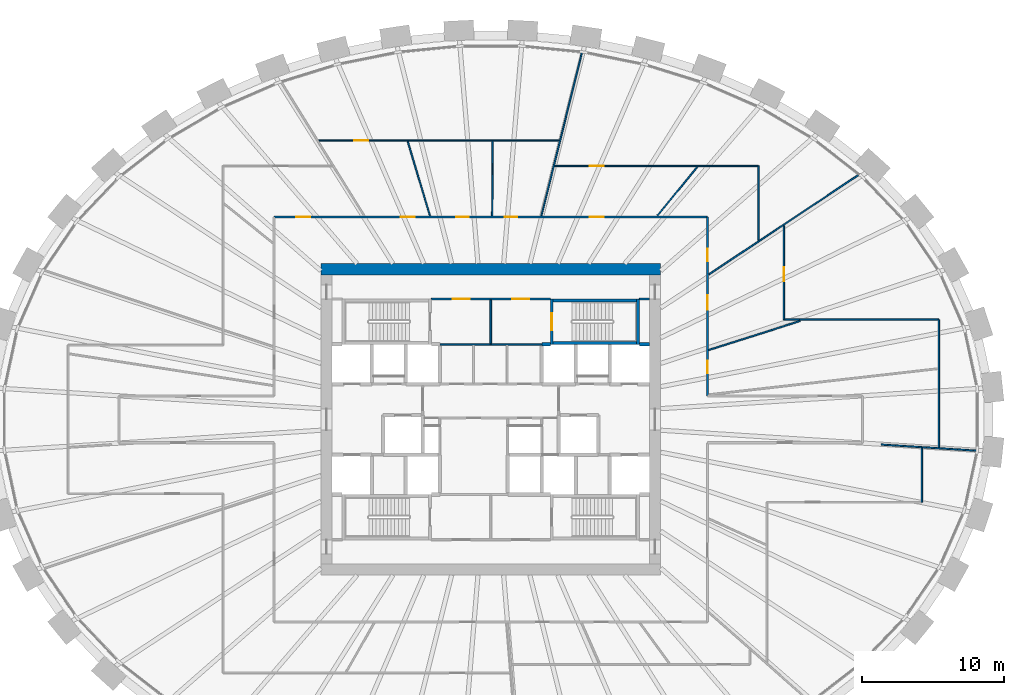
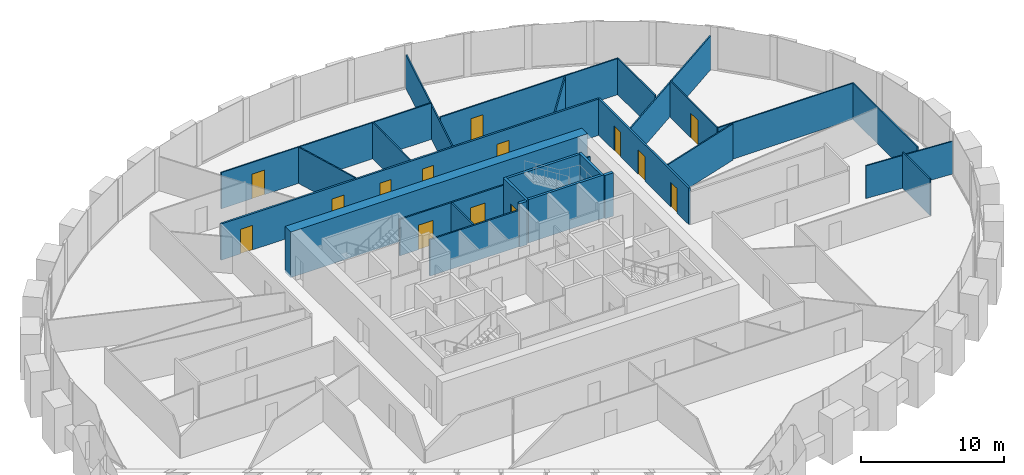
# One storey, part 9 of 11: 27 walls, 14 doors, 14 openings.
"""IFC4 building model written with IfcOpenShell, lengths in metres."""

import ifcopenshell
import ifcopenshell.guid

model = None  # the IFC model being written
_history = None  # IfcOwnerHistory: only IFC2X3 demands one
_inside = {}  # id of a spatial element -> (the spatial element, [elements in it])
_under = {}  # id of a project, library or spatial element -> (it, [spatial elements below it])
_declared = {}  # id of a project -> (the project, [libraries it declares])
_typed = {}  # id of a type object -> (the type object, [elements of that type])
_made_of = {}  # id of a material, layer set ... -> (it, [elements and type objects made of it])


def new_model(schema):
    """Start an empty IFC model of exactly this schema.

    Asked for "IFC4X3", IfcOpenShell would pick the latest addendum, in which some entities
    have other attributes; the version numbers below select the first issue.
    IFC2X3 requires an IfcOwnerHistory on every rooted entity: one is made here for all.
    """
    global model, _history
    if schema == "IFC4X3":
        model = ifcopenshell.file(schema_version=(4, 3, 0, 0))
    else:
        model = ifcopenshell.file(schema=schema)
    _inside.clear()
    _under.clear()
    _declared.clear()
    _typed.clear()
    _made_of.clear()
    _history = None
    if model.schema == "IFC2X3":
        org = make("IfcOrganization", Name="unknown")
        user = make(
            "IfcPersonAndOrganization",
            ThePerson=make("IfcPerson", FamilyName="unknown"),
            TheOrganization=org,
        )
        app = make(
            "IfcApplication",
            ApplicationDeveloper=org,
            Version="unknown",
            ApplicationFullName="unknown",
            ApplicationIdentifier="unknown",
        )
        _history = make(
            "IfcOwnerHistory",
            OwningUser=user,
            OwningApplication=app,
            ChangeAction="ADDED",
            CreationDate=0,
        )
    return model


def make(cls, **values):
    """One entity of the class cls with the attributes given. An attribute that is None is left unset."""
    return model.create_entity(
        cls, **{name: value for name, value in values.items() if value is not None}
    )


def rooted(cls, **values):
    """An entity with a GlobalId (a new one), such as an element, a storey or a relation."""
    return make(cls, GlobalId=ifcopenshell.guid.new(), OwnerHistory=_history, **values)


def si_unit(unit_type, name, prefix=None):
    """IfcSIUnit, for example si_unit("LENGTHUNIT", "METRE", prefix="MILLI")."""
    return make("IfcSIUnit", UnitType=unit_type, Prefix=prefix, Name=name)


def assignment(units):
    """IfcUnitAssignment: the units of a project."""
    return None if units is None else make("IfcUnitAssignment", Units=units)


def point(xyz):
    """IfcCartesianPoint."""
    return None if xyz is None else make("IfcCartesianPoint", Coordinates=xyz)


def direction(xyz):
    """IfcDirection."""
    return None if xyz is None else make("IfcDirection", DirectionRatios=xyz)


def frame(location, z_axis=None, x_axis=None):
    """IfcAxis2Placement3D, a coordinate frame: its origin and axes. An axis left out is left unset."""
    return make(
        "IfcAxis2Placement3D",
        Location=point(location),
        Axis=direction(z_axis),
        RefDirection=direction(x_axis),
    )


def frame_2d(location, x_axis=None):
    """IfcAxis2Placement2D, a coordinate frame in the plane: its origin and x axis."""
    return make(
        "IfcAxis2Placement2D", Location=point(location), RefDirection=direction(x_axis)
    )


def origin():
    """The frame at (0, 0, 0) with its axes left unset."""
    return frame((0.0, 0.0, 0.0))


def place(relative_to, where):
    """IfcLocalPlacement: puts the frame where relative to a parent placement (None: the world)."""
    return make(
        "IfcLocalPlacement", PlacementRelTo=relative_to, RelativePlacement=where
    )


def context(
    kind, dimensions, precision=None, world=None, true_north=None, identifier=None
):
    """IfcGeometricRepresentationContext, for example the 3D "Model" context."""
    return make(
        "IfcGeometricRepresentationContext",
        ContextIdentifier=identifier,
        ContextType=kind,
        CoordinateSpaceDimension=dimensions,
        Precision=precision,
        WorldCoordinateSystem=world,
        TrueNorth=true_north,
    )


def subcontext(parent, identifier, kind, view, scale=None):
    """IfcGeometricRepresentationSubContext, for example "Body" below "Model"."""
    return make(
        "IfcGeometricRepresentationSubContext",
        ContextIdentifier=identifier,
        ContextType=kind,
        ParentContext=parent,
        TargetScale=scale,
        TargetView=view,
    )


def project(units=None, contexts=None):
    """IfcProject with its units and contexts."""
    return rooted(
        "IfcProject",
        Name="project",
        RepresentationContexts=contexts,
        UnitsInContext=assignment(units),
    )


def spatial(cls, under=None, at=None, **own):
    """A site, building, storey or space (cls), placed at a placement, below another one or the project."""
    s = rooted(cls, ObjectPlacement=at, **own)
    if under is not None:
        _under.setdefault(under.id(), (under, []))[1].append(s)
    return s


def profile(cls, at=None, kind="AREA", **sizes):
    """A parametric profile (cls). Its sizes go by their IFC names, for example OverallWidth=200.0."""
    return make(cls, ProfileType=kind, Position=at, **sizes)


def rectangle(**sizes):
    """IfcRectangleProfileDef."""
    return profile("IfcRectangleProfileDef", **sizes)


def extrude(swept, where, along, depth):
    """IfcExtrudedAreaSolid: the profile swept, set in the frame where, extruded along a direction by depth."""
    return make(
        "IfcExtrudedAreaSolid",
        SweptArea=swept,
        Position=where,
        ExtrudedDirection=direction(along),
        Depth=depth,
    )


def shape(context_of_items, identifier, shape_type, items):
    """IfcShapeRepresentation: the items that make up one representation, for example the "Body"."""
    return make(
        "IfcShapeRepresentation",
        ContextOfItems=context_of_items,
        RepresentationIdentifier=identifier,
        RepresentationType=shape_type,
        Items=items,
    )


def source(mapping_origin, context_of_items, identifier, shape_type, items):
    """IfcRepresentationMap: a shape defined once, which mapped items show again and again."""
    return make(
        "IfcRepresentationMap",
        MappingOrigin=mapping_origin,
        MappedRepresentation=shape(context_of_items, identifier, shape_type, items),
    )


def transform(
    local_origin,
    x_axis=None,
    y_axis=None,
    z_axis=None,
    scale=None,
    scale2=None,
    scale3=None,
    uniform=True,
):
    """IfcCartesianTransformationOperator3D, or its non-uniform kind. x_axis, y_axis, z_axis: its Axis1, 2, 3."""
    if uniform:
        return make(
            "IfcCartesianTransformationOperator3D",
            Axis1=direction(x_axis),
            Axis2=direction(y_axis),
            LocalOrigin=point(local_origin),
            Scale=scale,
            Axis3=direction(z_axis),
        )
    return make(
        "IfcCartesianTransformationOperator3DnonUniform",
        Axis1=direction(x_axis),
        Axis2=direction(y_axis),
        LocalOrigin=point(local_origin),
        Scale=scale,
        Axis3=direction(z_axis),
        Scale2=scale2,
        Scale3=scale3,
    )


def mapped(mapping_source, mapping_target):
    """IfcMappedItem: shows the shape of a source again, moved by a transform."""
    return make(
        "IfcMappedItem", MappingSource=mapping_source, MappingTarget=mapping_target
    )


def material(Name=None, Category=None):
    """IfcMaterial."""
    return make("IfcMaterial", Name=Name, Category=Category)


def layer(
    of_material, thickness, ventilated=None, Name=None, Category=None, Priority=None
):
    """IfcMaterialLayer: one layer of a wall or slab, of a material (None: an air gap)."""
    return make(
        "IfcMaterialLayer",
        Material=of_material,
        LayerThickness=thickness,
        IsVentilated=ventilated,
        Name=Name,
        Category=Category,
        Priority=Priority,
    )


def layer_set(layers, Name=None):
    """IfcMaterialLayerSet."""
    return make("IfcMaterialLayerSet", MaterialLayers=layers, LayerSetName=Name)


def made_of(thing, what):
    """Note that an element or type object is made of a material, layer set ...; save() writes the relation."""
    if what is not None:
        _made_of.setdefault(what.id(), (what, []))[1].append(thing)
    return thing


def type_object(cls, material=None, **own):
    """A type object (cls), such as IfcWallType, which elements share."""
    return made_of(rooted(cls, **own), material)


def element(
    cls,
    number,
    at=None,
    inside=None,
    cuts=None,
    type_object=None,
    material=None,
    context=None,
    identifier="Body",
    shape_type=None,
    held_by="IfcProductDefinitionShape",
    body=None,
    shapes=None,
    **own,
):
    """One element of the class cls, such as IfcWall. Its Tag is "e" and its number.

    at: its placement. inside: the storey or other place that contains it. cuts: it is an
    opening in that element (IfcRelVoidsElement). A single representation is given by context,
    identifier, shape_type and body (its items); several are given by shapes. held_by: the class
    of the entity that holds the representations. save() writes the other relations.
    """
    e = rooted(cls, Tag="e%d" % number, ObjectPlacement=at, **own)
    if body is not None:
        shapes = [shape(context, identifier, shape_type, body)]
    if shapes is not None:
        e.Representation = make(held_by, Representations=shapes)
    if inside is not None:
        _inside.setdefault(inside.id(), (inside, []))[1].append(e)
    if cuts is not None:
        rooted(
            "IfcRelVoidsElement", RelatingBuildingElement=cuts, RelatedOpeningElement=e
        )
    if type_object is not None:
        _typed.setdefault(type_object.id(), (type_object, []))[1].append(e)
    return made_of(e, material)


def fill(opening, filler):
    """IfcRelFillsElement: the door or window that sits in an opening."""
    return rooted(
        "IfcRelFillsElement",
        RelatingOpeningElement=opening,
        RelatedBuildingElement=filler,
    )


def aggregate(whole, parts):
    """IfcRelAggregates: a whole, such as a stair, and the parts it consists of."""
    return rooted("IfcRelAggregates", RelatingObject=whole, RelatedObjects=parts)


def save(model, path):
    """Write the relations noted so far, then the file.

    IfcRelAggregates (storeys below a building ...), IfcRelContainedInSpatialStructure (elements
    in a storey), IfcRelDefinesByType, IfcRelAssociatesMaterial and IfcRelDeclares: one each for
    every whole, place, type object, material and project.
    """
    for whole, parts in _under.values():
        aggregate(whole, parts)
    for where, things in _inside.values():
        rooted(
            "IfcRelContainedInSpatialStructure",
            RelatedElements=things,
            RelatingStructure=where,
        )
    for kind, things in _typed.values():
        rooted("IfcRelDefinesByType", RelatedObjects=things, RelatingType=kind)
    for what, things in _made_of.values():
        rooted("IfcRelAssociatesMaterial", RelatedObjects=things, RelatingMaterial=what)
    for by, libraries in _declared.values():
        rooted("IfcRelDeclares", RelatingContext=by, RelatedDefinitions=libraries)
    model.write(path)


model = new_model("IFC4")

# Units and contexts
model_context = context("Model", 3, precision=1e-05, world=origin(), true_north=direction((0.0, 1.0)))
body_context = subcontext(model_context, "Body", "Model", "MODEL_VIEW")
ifc_project = project(units=[si_unit("LENGTHUNIT", "METRE"), si_unit("AREAUNIT", "SQUARE_METRE"), si_unit("VOLUMEUNIT", "CUBIC_METRE"), si_unit("PLANEANGLEUNIT", "RADIAN"), si_unit("MASSUNIT", "GRAM", prefix="KILO")], contexts=[model_context])

# Site, building, storey
site_placement = place(None, origin())
site = spatial("IfcSite", under=ifc_project, at=site_placement, CompositionType="ELEMENT")
building_placement = place(site_placement, origin())
building = spatial("IfcBuilding", under=site, at=building_placement, Name="Embergate Tower", CompositionType="ELEMENT")
storey_placement = place(building_placement, frame((0.0, 0.0, 215.10009765625)))
storey = spatial("IfcBuildingStorey", under=building, at=storey_placement, Name="L49", CompositionType="ELEMENT", Elevation=215.10009765625)

# Walls
ifc_material_1 = material(Name="Concrete C70", Category="concrete")
ifc_layer_1 = layer(ifc_material_1, 0.800048828125)
ifc_layer_set_1 = layer_set([ifc_layer_1], Name="Concrete C70")
wall_type_1 = type_object("IfcWallType", Name="Core outer wall C70 800", PredefinedType="SHEAR", material=ifc_layer_set_1)
shared_shape_1 = source(origin(), body_context, "Body", "SweptSolid", [
    extrude(rectangle(XDim=24.0, YDim=0.800048828125, at=frame_2d((12.0, 0.0))), origin(), (0.0, 0.0, 1.0), 3.900146484375),
])
wall_1_placement = place(storey_placement, frame((-12.0, 10.60009765625, -0.2001953125), z_axis=(0.0, 0.0, 1.0), x_axis=(1.0, 0.0, 0.0)))
element("IfcWall", 1, at=wall_1_placement, inside=storey, type_object=wall_type_1, Name="CW-L49-N", PredefinedType="SHEAR", context=body_context, shape_type="MappedRepresentation", body=[
    mapped(shared_shape_1, transform((0.0, 0.0, 0.0))),
])
ifc_material_2 = material(Name="Concrete C50", Category="concrete")
ifc_layer_2 = layer(ifc_material_2, 0.199951171875)
ifc_layer_set_2 = layer_set([ifc_layer_2], Name="Concrete C50")
wall_type_2 = type_object("IfcWallType", Name="Stair enclosure wall reinforced concrete 250", PredefinedType="SHEAR", material=ifc_layer_set_2)
shared_shape_2 = source(origin(), body_context, "Body", "SweptSolid", [
    extrude(rectangle(XDim=6.300048828125, YDim=0.199951171875, at=frame_2d((3.14990234375, 0.0))), origin(), (0.0, 0.0, 1.0), 3.699951171875),
])
for number, where, z_axis, x_axis, name in (
    (2, (10.5, 5.39990234375, 0.0), (0.0, 0.0, 1.0), (-1.0, 0.0, 0.0), "SE-1 wall"),
    (3, (10.5, 8.39990234375, 0.0), (0.0, 0.0, 1.0), (-1.0, 0.0, 0.0), "SE-1 wall"),
):
    element("IfcWall", number, at=place(storey_placement, frame(where, z_axis=z_axis, x_axis=x_axis)), inside=storey, type_object=wall_type_2, Name=name, PredefinedType="SHEAR", context=body_context, shape_type="MappedRepresentation", body=[
        mapped(shared_shape_2, transform((0.0, 0.0, 0.0))),
    ])

# Wall, opening, door
shared_shape_3 = source(origin(), body_context, "Body", "SweptSolid", [
    extrude(rectangle(XDim=3.199951171875, YDim=0.199951171875, at=frame_2d((1.60009765625, 0.0))), origin(), (0.0, 0.0, 1.0), 3.699951171875),
])
wall_2_placement = place(storey_placement, frame((4.300048828125, 8.5, 0.0), z_axis=(0.0, 0.0, 1.0), x_axis=(0.0, -1.0, 0.0)))
wall_2 = element("IfcWall", 4, at=wall_2_placement, inside=storey, type_object=wall_type_2, Name="SE-1 wall", PredefinedType="SHEAR", context=body_context, shape_type="MappedRepresentation", body=[
    mapped(shared_shape_3, transform((0.0, 0.0, 0.0))),
])
shared_shape_4 = source(origin(), body_context, "Body", "SweptSolid", [
    extrude(rectangle(XDim=1.199951171875, YDim=2.10009765625, at=frame_2d((0.60009765625, 1.050048828125))), frame((0.0, 0.10986328125, 0.0), z_axis=(0.0, -1.0, 0.0), x_axis=(1.0, 0.0, 0.0)), (0.0, 0.0, 1.0), 0.219970703125),
])
opening_1_placement = place(wall_2_placement, frame((1.0, 0.0, 0.0)))
opening_1 = element("IfcOpeningElement", 5, at=opening_1_placement, cuts=wall_2, Name="Opening IF-2", PredefinedType="OPENING", context=body_context, shape_type="MappedRepresentation", body=[
    mapped(shared_shape_4, transform((0.0, 0.0, 0.0))),
])
ifc_material_3 = material(Name="Stair enclosure door 1200")
door_type_1 = type_object("IfcDoorType", Name="Stair enclosure door 1200", OperationType="SINGLE_SWING_LEFT", PredefinedType="DOOR", material=ifc_material_3)
shared_shape_5 = source(origin(), body_context, "Body", "SweptSolid", [
    extrude(rectangle(XDim=1.199951171875, YDim=2.10009765625, at=frame_2d((0.60009765625, 1.050048828125))), frame((0.0, 0.02490234375, 0.0), z_axis=(0.0, -1.0, 0.0), x_axis=(1.0, 0.0, 0.0)), (0.0, 0.0, 1.0), 0.050048828125),
])
door_1_placement = place(opening_1_placement, origin())
door_1 = element("IfcDoor", 6, at=door_1_placement, inside=storey, type_object=door_type_1, Name="IF-2 door", OperationType="SINGLE_SWING_LEFT", OverallHeight=2.10009765625, OverallWidth=1.199951171875, PredefinedType="DOOR", context=body_context, shape_type="MappedRepresentation", body=[
    mapped(shared_shape_5, transform((0.0, 0.0, 0.0))),
])
fill(opening_1, door_1)

# Wall, openings, doors
ifc_material_4 = material(Name="Core partition blockwork 120")
ifc_layer_3 = layer(ifc_material_4, 0.1201171875)
ifc_layer_set_3 = layer_set([ifc_layer_3], Name="Core partition blockwork 120")
wall_type_3 = type_object("IfcWallType", Name="Core partition blockwork 120", PredefinedType="PARTITIONING", material=ifc_layer_set_3)
shared_shape_6 = source(origin(), body_context, "Body", "SweptSolid", [
    extrude(rectangle(XDim=8.39990234375, YDim=0.1201171875, at=frame_2d((4.199951171875, 0.0))), origin(), (0.0, 0.0, 1.0), 3.099853515625),
])
wall_3_placement = place(storey_placement, frame((4.199951171875, 8.5, 0.0), z_axis=(0.0, 0.0, 1.0), x_axis=(-1.0, 0.0, 0.0)))
wall_3 = element("IfcWall", 7, at=wall_3_placement, inside=storey, type_object=wall_type_3, Name="IP-3 wall", PredefinedType="PARTITIONING", context=body_context, shape_type="MappedRepresentation", body=[
    mapped(shared_shape_6, transform((0.0, 0.0, 0.0))),
])
shared_shape_7 = source(origin(), body_context, "Body", "SweptSolid", [
    extrude(rectangle(XDim=1.199951171875, YDim=2.10009765625, at=frame_2d((0.60009765625, 1.050048828125))), frame((0.0, 0.070068359375, 0.0), z_axis=(0.0, -1.0, 0.0), x_axis=(1.0, 0.0, 0.0)), (0.0, 0.0, 1.0), 0.14013671875),
])
opening_2_placement = place(wall_3_placement, frame((5.699951171875, 0.0, 0.0)))
opening_2 = element("IfcOpeningElement", 8, at=opening_2_placement, cuts=wall_3, Name="Opening IF-3f", PredefinedType="OPENING", context=body_context, shape_type="MappedRepresentation", body=[
    mapped(shared_shape_7, transform((0.0, 0.0, 0.0))),
])
opening_3_placement = place(wall_3_placement, frame((1.5, 0.0, 0.0)))
opening_3 = element("IfcOpeningElement", 9, at=opening_3_placement, cuts=wall_3, Name="Opening IF-3f", PredefinedType="OPENING", context=body_context, shape_type="MappedRepresentation", body=[
    mapped(shared_shape_7, transform((0.0, 0.0, 0.0))),
])
ifc_material_5 = material(Name="Lobby fire door pair 1200")
door_type_2 = type_object("IfcDoorType", Name="Lobby fire door pair 1200", OperationType="DOUBLE_DOOR_SINGLE_SWING", PredefinedType="DOOR", material=ifc_material_5)
door_2_placement = place(opening_2_placement, origin())
door_2 = element("IfcDoor", 10, at=door_2_placement, inside=storey, type_object=door_type_2, Name="IF-3 door", OperationType="DOUBLE_DOOR_SINGLE_SWING", OverallHeight=2.10009765625, OverallWidth=1.199951171875, PredefinedType="DOOR", context=body_context, shape_type="MappedRepresentation", body=[
    mapped(shared_shape_5, transform((0.0, 0.0, 0.0))),
])
fill(opening_2, door_2)
door_3_placement = place(opening_3_placement, origin())
door_3 = element("IfcDoor", 11, at=door_3_placement, inside=storey, type_object=door_type_2, Name="IF-3 door", OperationType="DOUBLE_DOOR_SINGLE_SWING", OverallHeight=2.10009765625, OverallWidth=1.199951171875, PredefinedType="DOOR", context=body_context, shape_type="MappedRepresentation", body=[
    mapped(shared_shape_5, transform((0.0, 0.0, 0.0))),
])
fill(opening_3, door_3)

# Walls
ifc_layer_4 = layer(ifc_material_2, 0.25)
ifc_layer_set_4 = layer_set([ifc_layer_4], Name="Concrete C50")
wall_type_4 = type_object("IfcWallType", Name="Hoistway wall reinforced concrete 250", PredefinedType="SHEAR", material=ifc_layer_set_4)
shared_shape_8 = source(origin(), body_context, "Body", "SweptSolid", [
    extrude(rectangle(XDim=0.599853515625, YDim=0.25, at=frame_2d((0.2998046875, 0.0))), origin(), (0.0, 0.0, 1.0), 3.699951171875),
])
wall_4_placement = place(storey_placement, frame((4.199951171875, 5.300048828125, 0.0), z_axis=(0.0, 0.0, 1.0), x_axis=(-1.0, 0.0, 0.0)))
element("IfcWall", 12, at=wall_4_placement, inside=storey, type_object=wall_type_4, Name="HW-1 wall", PredefinedType="SHEAR", context=body_context, shape_type="MappedRepresentation", body=[
    mapped(shared_shape_8, transform((0.0, 0.0, 0.0))),
])
shared_shape_9 = source(origin(), body_context, "Body", "SweptSolid", [
    extrude(rectangle(XDim=3.196044921875, YDim=0.199951171875, at=frame_2d((1.59814453125, 0.0))), origin(), (0.0, 0.0, 1.0), 3.699951171875),
])
wall_5_placement = place(storey_placement, frame((10.39990234375, 5.302001953125, 0.0), z_axis=(0.0, 0.0, 1.0), x_axis=(0.0, 1.0, 0.0)))
element("IfcWall", 13, at=wall_5_placement, inside=storey, type_object=wall_type_2, Name="SE-1 wall", PredefinedType="SHEAR", context=body_context, shape_type="MappedRepresentation", body=[
    mapped(shared_shape_9, transform((0.0, 0.0, 0.0))),
])
shared_shape_10 = source(origin(), body_context, "Body", "SweptSolid", [
    extrude(rectangle(XDim=0.697998046875, YDim=0.25, at=frame_2d((0.34912109375, 0.0))), origin(), (0.0, 0.0, 1.0), 3.699951171875),
])
wall_6_placement = place(storey_placement, frame((11.199951171875, 5.300048828125, 0.0), z_axis=(0.0, 0.0, 1.0), x_axis=(-1.0, 0.0, 0.0)))
element("IfcWall", 14, at=wall_6_placement, inside=storey, type_object=wall_type_4, Name="HW-1 wall", PredefinedType="SHEAR", context=body_context, shape_type="MappedRepresentation", body=[
    mapped(shared_shape_10, transform((0.0, 0.0, 0.0))),
])
shared_shape_11 = source(origin(), body_context, "Body", "SweptSolid", [
    extrude(rectangle(XDim=7.2001953125, YDim=0.1201171875, at=frame_2d((3.60009765625, 0.0))), origin(), (0.0, 0.0, 1.0), 3.099853515625),
])
wall_7_placement = place(storey_placement, frame((-3.60009765625, 5.300048828125, 0.0), z_axis=(0.0, 0.0, 1.0), x_axis=(1.0, 0.0, 0.0)))
element("IfcWall", 15, at=wall_7_placement, inside=storey, type_object=wall_type_3, Name="IP-3 wall", PredefinedType="PARTITIONING", context=body_context, shape_type="MappedRepresentation", body=[
    mapped(shared_shape_11, transform((0.0, 0.0, 0.0))),
])
shared_shape_12 = source(origin(), body_context, "Body", "SweptSolid", [
    extrude(rectangle(XDim=3.079833984375, YDim=0.1201171875, at=frame_2d((1.5400390625, 0.0))), origin(), (0.0, 0.0, 1.0), 3.099853515625),
])
wall_8_placement = place(storey_placement, frame((0.0, 5.360107421875, 0.0), z_axis=(0.0, 0.0, 1.0), x_axis=(0.0, 1.0, 0.0)))
element("IfcWall", 16, at=wall_8_placement, inside=storey, type_object=wall_type_3, Name="IP-3 wall", PredefinedType="PARTITIONING", context=body_context, shape_type="MappedRepresentation", body=[
    mapped(shared_shape_12, transform((0.0, 0.0, 0.0))),
])
shared_shape_13 = source(origin(), body_context, "Body", "SweptSolid", [
    extrude(rectangle(XDim=0.697998046875, YDim=0.1201171875, at=frame_2d((0.34912109375, 0.0))), origin(), (0.0, 0.0, 1.0), 3.099853515625),
])
wall_9_placement = place(storey_placement, frame((10.501953125, 8.5, 0.0), z_axis=(0.0, 0.0, 1.0), x_axis=(1.0, 0.0, 0.0)))
element("IfcWall", 17, at=wall_9_placement, inside=storey, type_object=wall_type_3, Name="IP-3 wall", PredefinedType="PARTITIONING", context=body_context, shape_type="MappedRepresentation", body=[
    mapped(shared_shape_13, transform((0.0, 0.0, 0.0))),
])
ifc_material_6 = material(Name="Partition dry-lined 100")
ifc_layer_5 = layer(ifc_material_6, 0.10009765625)
ifc_layer_set_5 = layer_set([ifc_layer_5], Name="Partition dry-lined 100")
wall_type_5 = type_object("IfcWallType", Name="Partition dry-lined 100", PredefinedType="PARTITIONING", material=ifc_layer_set_5)
shared_shape_14 = source(origin(), body_context, "Body", "SweptSolid", [
    extrude(rectangle(XDim=10.949951171875, YDim=0.10009765625, at=frame_2d((5.47509765625, 0.0))), origin(), (0.0, 0.0, 1.0), 3.099853515625),
])
wall_10_placement = place(storey_placement, frame((20.699951171875, 7.050048828125, 0.0), z_axis=(0.0, 0.0, 1.0), x_axis=(1.0, 0.0, 0.0)))
element("IfcWall", 18, at=wall_10_placement, inside=storey, type_object=wall_type_5, Name="IP-1 wall", PredefinedType="PARTITIONING", context=body_context, shape_type="MappedRepresentation", body=[
    mapped(shared_shape_14, transform((0.0, 0.0, 0.0))),
])

# Wall, openings, doors
ifc_material_7 = material(Name="Corridor wall dry-lined 150")
ifc_layer_6 = layer(ifc_material_7, 0.14990234375)
ifc_layer_set_6 = layer_set([ifc_layer_6], Name="Corridor wall dry-lined 150")
wall_type_6 = type_object("IfcWallType", Name="Corridor wall dry-lined 150", PredefinedType="PARTITIONING", material=ifc_layer_set_6)
shared_shape_15 = source(origin(), body_context, "Body", "SweptSolid", [
    extrude(rectangle(XDim=30.60009765625, YDim=0.14990234375, at=frame_2d((15.300048828125, 0.0))), origin(), (0.0, 0.0, 1.0), 3.099853515625),
])
wall_11_placement = place(storey_placement, frame((-15.300048828125, 14.300048828125, 0.0), z_axis=(0.0, 0.0, 1.0), x_axis=(1.0, 0.0, 0.0)))
wall_11 = element("IfcWall", 19, at=wall_11_placement, inside=storey, type_object=wall_type_6, Name="IP-2 wall", PredefinedType="PARTITIONING", context=body_context, shape_type="MappedRepresentation", body=[
    mapped(shared_shape_15, transform((0.0, 0.0, 0.0))),
])
shared_shape_16 = source(origin(), body_context, "Body", "SweptSolid", [
    extrude(rectangle(XDim=1.0, YDim=2.10009765625, at=frame_2d((0.5, 1.050048828125))), frame((0.0, 0.0849609375, 0.0), z_axis=(0.0, -1.0, 0.0), x_axis=(1.0, 0.0, 0.0)), (0.0, 0.0, 1.0), 0.169921875),
])
opening_4_placement = place(wall_11_placement, frame((22.2900390625, 0.0, 0.0)))
opening_4 = element("IfcOpeningElement", 20, at=opening_4_placement, cuts=wall_11, Name="Opening ID-2", PredefinedType="OPENING", context=body_context, shape_type="MappedRepresentation", body=[
    mapped(shared_shape_16, transform((0.0, 0.0, 0.0))),
])
shared_shape_17 = source(origin(), body_context, "Body", "SweptSolid", [
    extrude(rectangle(XDim=0.89990234375, YDim=2.10009765625, at=frame_2d((0.449951171875, 1.050048828125))), frame((0.0, 0.0849609375, 0.0), z_axis=(0.0, -1.0, 0.0), x_axis=(1.0, 0.0, 0.0)), (0.0, 0.0, 1.0), 0.169921875),
])
opening_5_placement = place(wall_11_placement, frame((16.283935546875, 0.0, 0.0)))
opening_5 = element("IfcOpeningElement", 21, at=opening_5_placement, cuts=wall_11, Name="Opening IF-1c", PredefinedType="OPENING", context=body_context, shape_type="MappedRepresentation", body=[
    mapped(shared_shape_17, transform((0.0, 0.0, 0.0))),
])
opening_6_placement = place(wall_11_placement, frame((12.84912109375, 0.0, 0.0)))
opening_6 = element("IfcOpeningElement", 22, at=opening_6_placement, cuts=wall_11, Name="Opening IF-1c", PredefinedType="OPENING", context=body_context, shape_type="MappedRepresentation", body=[
    mapped(shared_shape_17, transform((0.0, 0.0, 0.0))),
])
opening_7_placement = place(wall_11_placement, frame((8.945068359375, 0.0, 0.0)))
opening_7 = element("IfcOpeningElement", 23, at=opening_7_placement, cuts=wall_11, Name="Opening ID-2", PredefinedType="OPENING", context=body_context, shape_type="MappedRepresentation", body=[
    mapped(shared_shape_16, transform((0.0, 0.0, 0.0))),
])
opening_8_placement = place(wall_11_placement, frame((1.552001953125, 0.0, 0.0)))
opening_8 = element("IfcOpeningElement", 24, at=opening_8_placement, cuts=wall_11, Name="Opening ID-2", PredefinedType="OPENING", context=body_context, shape_type="MappedRepresentation", body=[
    mapped(shared_shape_16, transform((0.0, 0.0, 0.0))),
])
ifc_material_8 = material(Name="Escape fire door 900")
door_type_3 = type_object("IfcDoorType", Name="Escape fire door 900", OperationType="SINGLE_SWING_LEFT", PredefinedType="DOOR", material=ifc_material_8)
shared_shape_18 = source(origin(), body_context, "Body", "SweptSolid", [
    extrude(rectangle(XDim=0.89990234375, YDim=2.10009765625, at=frame_2d((0.449951171875, 1.050048828125))), frame((0.0, 0.02490234375, 0.0), z_axis=(0.0, -1.0, 0.0), x_axis=(1.0, 0.0, 0.0)), (0.0, 0.0, 1.0), 0.050048828125),
])
door_4_placement = place(opening_5_placement, origin())
door_4 = element("IfcDoor", 25, at=door_4_placement, inside=storey, type_object=door_type_3, Name="IF-1 door", OperationType="SINGLE_SWING_LEFT", OverallHeight=2.10009765625, OverallWidth=0.89990234375, PredefinedType="DOOR", context=body_context, shape_type="MappedRepresentation", body=[
    mapped(shared_shape_18, transform((0.0, 0.0, 0.0))),
])
fill(opening_5, door_4)
door_5_placement = place(opening_6_placement, origin())
door_5 = element("IfcDoor", 26, at=door_5_placement, inside=storey, type_object=door_type_3, Name="IF-1 door", OperationType="SINGLE_SWING_RIGHT", OverallHeight=2.10009765625, OverallWidth=0.89990234375, PredefinedType="DOOR", context=body_context, shape_type="MappedRepresentation", body=[
    mapped(shared_shape_18, transform((0.0, 0.0, 0.0))),
])
fill(opening_6, door_5)
ifc_material_9 = material(Name="Interior door 1000")
door_type_4 = type_object("IfcDoorType", Name="Interior door 1000", OperationType="SINGLE_SWING_LEFT", PredefinedType="DOOR", material=ifc_material_9)
shared_shape_19 = source(origin(), body_context, "Body", "SweptSolid", [
    extrude(rectangle(XDim=1.0, YDim=2.10009765625, at=frame_2d((0.5, 1.050048828125))), frame((0.0, 0.02490234375, 0.0), z_axis=(0.0, -1.0, 0.0), x_axis=(1.0, 0.0, 0.0)), (0.0, 0.0, 1.0), 0.050048828125),
])
door_6_placement = place(opening_4_placement, origin())
door_6 = element("IfcDoor", 27, at=door_6_placement, inside=storey, type_object=door_type_4, Name="ID-2 door", OperationType="SINGLE_SWING_LEFT", OverallHeight=2.10009765625, OverallWidth=1.0, PredefinedType="DOOR", context=body_context, shape_type="MappedRepresentation", body=[
    mapped(shared_shape_19, transform((0.0, 0.0, 0.0))),
])
fill(opening_4, door_6)
door_7_placement = place(opening_7_placement, origin())
door_7 = element("IfcDoor", 28, at=door_7_placement, inside=storey, type_object=door_type_4, Name="ID-2 door", OperationType="SINGLE_SWING_RIGHT", OverallHeight=2.10009765625, OverallWidth=1.0, PredefinedType="DOOR", context=body_context, shape_type="MappedRepresentation", body=[
    mapped(shared_shape_19, transform((0.0, 0.0, 0.0))),
])
fill(opening_7, door_7)
door_8_placement = place(opening_8_placement, origin())
door_8 = element("IfcDoor", 29, at=door_8_placement, inside=storey, type_object=door_type_4, Name="ID-2 door", OperationType="SINGLE_SWING_LEFT", OverallHeight=2.10009765625, OverallWidth=1.0, PredefinedType="DOOR", context=body_context, shape_type="MappedRepresentation", body=[
    mapped(shared_shape_19, transform((0.0, 0.0, 0.0))),
])
fill(opening_8, door_8)

shared_shape_20 = source(origin(), body_context, "Body", "SweptSolid", [
    extrude(rectangle(XDim=12.650146484375, YDim=0.14990234375, at=frame_2d((6.3251953125, 0.0))), origin(), (0.0, 0.0, 1.0), 3.099853515625),
])
wall_12_placement = place(storey_placement, frame((15.300048828125, 1.64990234375, 0.0), z_axis=(0.0, 0.0, 1.0), x_axis=(0.0, 1.0, 0.0)))
wall_12 = element("IfcWall", 30, at=wall_12_placement, inside=storey, type_object=wall_type_6, Name="IP-2 wall", PredefinedType="PARTITIONING", context=body_context, shape_type="MappedRepresentation", body=[
    mapped(shared_shape_20, transform((0.0, 0.0, 0.0))),
])
opening_9_placement = place(wall_12_placement, frame((1.594970703125, 0.0, 0.0)))
opening_9 = element("IfcOpeningElement", 31, at=opening_9_placement, cuts=wall_12, Name="Opening IF-1c", PredefinedType="OPENING", context=body_context, shape_type="MappedRepresentation", body=[
    mapped(shared_shape_17, transform((0.0, 0.0, 0.0))),
])
opening_10_placement = place(wall_12_placement, frame((6.112060546875, 0.0, 0.0)))
opening_10 = element("IfcOpeningElement", 32, at=opening_10_placement, cuts=wall_12, Name="Opening ID-2", PredefinedType="OPENING", context=body_context, shape_type="MappedRepresentation", body=[
    mapped(shared_shape_16, transform((0.0, 0.0, 0.0))),
])
opening_11_placement = place(wall_12_placement, frame((9.506103515625, 0.0, 0.0)))
opening_11 = element("IfcOpeningElement", 33, at=opening_11_placement, cuts=wall_12, Name="Opening IF-1c", PredefinedType="OPENING", context=body_context, shape_type="MappedRepresentation", body=[
    mapped(shared_shape_17, transform((0.0, 0.0, 0.0))),
])
door_9_placement = place(opening_9_placement, origin())
door_9 = element("IfcDoor", 34, at=door_9_placement, inside=storey, type_object=door_type_3, Name="IF-1 door", OperationType="SINGLE_SWING_RIGHT", OverallHeight=2.10009765625, OverallWidth=0.89990234375, PredefinedType="DOOR", context=body_context, shape_type="MappedRepresentation", body=[
    mapped(shared_shape_18, transform((0.0, 0.0, 0.0))),
])
fill(opening_9, door_9)
door_10_placement = place(opening_11_placement, origin())
door_10 = element("IfcDoor", 35, at=door_10_placement, inside=storey, type_object=door_type_3, Name="IF-1 door", OperationType="SINGLE_SWING_LEFT", OverallHeight=2.10009765625, OverallWidth=0.89990234375, PredefinedType="DOOR", context=body_context, shape_type="MappedRepresentation", body=[
    mapped(shared_shape_18, transform((0.0, 0.0, 0.0))),
])
fill(opening_11, door_10)
door_11_placement = place(opening_10_placement, origin())
door_11 = element("IfcDoor", 36, at=door_11_placement, inside=storey, type_object=door_type_4, Name="ID-2 door", OperationType="SINGLE_SWING_RIGHT", OverallHeight=2.10009765625, OverallWidth=1.0, PredefinedType="DOOR", context=body_context, shape_type="MappedRepresentation", body=[
    mapped(shared_shape_19, transform((0.0, 0.0, 0.0))),
])
fill(opening_10, door_11)

# Walls
shared_shape_21 = source(origin(), body_context, "Body", "SweptSolid", [
    extrude(rectangle(XDim=3.839111328125, YDim=0.10009765625, at=frame_2d((1.91943359375, 0.0))), origin(), (0.0, 0.0, 1.0), 3.099853515625),
])
wall_13_placement = place(storey_placement, frame((30.449951171875, -2.010986328125, 0.0), z_axis=(0.0, 0.0, 1.0), x_axis=(0.0, -1.0, 0.0)))
element("IfcWall", 37, at=wall_13_placement, inside=storey, type_object=wall_type_5, Name="IP-1 wall", PredefinedType="PARTITIONING", context=body_context, shape_type="MappedRepresentation", body=[
    mapped(shared_shape_21, transform((0.0, 0.0, 0.0))),
])
shared_shape_22 = source(origin(), body_context, "Body", "SweptSolid", [
    extrude(rectangle(XDim=6.787841796875, YDim=0.10009765625, at=frame_2d((3.39404296875, 0.0))), origin(), (0.0, 0.0, 1.0), 2.7998046875),
])
wall_14_placement = place(storey_placement, frame((34.3359375, -2.2109375, 0.0), z_axis=(0.0, 0.0, 1.0), x_axis=(-0.997934690715, 0.064236695654, 0.0)))
element("IfcWall", 38, at=wall_14_placement, inside=storey, type_object=wall_type_5, Name="IP-1 wall", PredefinedType="PARTITIONING", context=body_context, shape_type="MappedRepresentation", body=[
    mapped(shared_shape_22, transform((0.0, 0.0, 0.0))),
])
shared_shape_23 = source(origin(), body_context, "Body", "SweptSolid", [
    extrude(rectangle(XDim=9.0380859375, YDim=0.10009765625, at=frame_2d((4.51904296875, 0.0))), origin(), (0.0, 0.0, 1.0), 3.099853515625),
])
wall_15_placement = place(storey_placement, frame((31.64990234375, 7.050048828125, 0.0), z_axis=(0.0, 0.0, 1.0), x_axis=(0.0, -1.0, 0.0)))
element("IfcWall", 39, at=wall_15_placement, inside=storey, type_object=wall_type_5, Name="IP-1 wall", PredefinedType="PARTITIONING", context=body_context, shape_type="MappedRepresentation", body=[
    mapped(shared_shape_23, transform((0.0, 0.0, 0.0))),
])
shared_shape_24 = source(origin(), body_context, "Body", "SweptSolid", [
    extrude(rectangle(XDim=6.77490234375, YDim=0.10009765625, at=frame_2d((3.387451171875, 0.0))), origin(), (0.0, 0.0, 1.0), 3.099853515625),
])
wall_16_placement = place(storey_placement, frame((15.389892578125, 4.89794921875, 0.0), z_axis=(0.0, 0.0, 1.0), x_axis=(0.952936191356, 0.303170933969, 0.0)))
element("IfcWall", 40, at=wall_16_placement, inside=storey, type_object=wall_type_5, Name="IP-1 wall", PredefinedType="PARTITIONING", context=body_context, shape_type="MappedRepresentation", body=[
    mapped(shared_shape_24, transform((0.0, 0.0, 0.0))),
])

# Wall, opening, door
shared_shape_25 = source(origin(), body_context, "Body", "SweptSolid", [
    extrude(rectangle(XDim=6.619873046875, YDim=0.10009765625, at=frame_2d((3.31005859375, 0.0))), origin(), (0.0, 0.0, 1.0), 3.099853515625),
])
wall_17_placement = place(storey_placement, frame((20.699951171875, 7.050048828125, 0.0), z_axis=(0.0, 0.0, 1.0), x_axis=(0.0, 1.0, 0.0)))
wall_17 = element("IfcWall", 41, at=wall_17_placement, inside=storey, type_object=wall_type_5, Name="IP-1 wall", PredefinedType="PARTITIONING", context=body_context, shape_type="MappedRepresentation", body=[
    mapped(shared_shape_25, transform((0.0, 0.0, 0.0))),
])
shared_shape_26 = source(origin(), body_context, "Body", "SweptSolid", [
    extrude(rectangle(XDim=1.0, YDim=2.10009765625, at=frame_2d((0.5, 1.050048828125))), frame((0.0, 0.06005859375, 0.0), z_axis=(0.0, -1.0, 0.0), x_axis=(1.0, 0.0, 0.0)), (0.0, 0.0, 1.0), 0.1201171875),
])
opening_12_placement = place(wall_17_placement, frame((2.702880859375, 0.0, 0.0)))
opening_12 = element("IfcOpeningElement", 42, at=opening_12_placement, cuts=wall_17, Name="Opening ID-2", PredefinedType="OPENING", context=body_context, shape_type="MappedRepresentation", body=[
    mapped(shared_shape_26, transform((0.0, 0.0, 0.0))),
])
door_12_placement = place(opening_12_placement, origin())
door_12 = element("IfcDoor", 43, at=door_12_placement, inside=storey, type_object=door_type_4, Name="ID-2 door", OperationType="SINGLE_SWING_RIGHT", OverallHeight=2.10009765625, OverallWidth=1.0, PredefinedType="DOOR", context=body_context, shape_type="MappedRepresentation", body=[
    mapped(shared_shape_19, transform((0.0, 0.0, 0.0))),
])
fill(opening_12, door_12)

# Walls
shared_shape_27 = source(origin(), body_context, "Body", "SweptSolid", [
    extrude(rectangle(XDim=12.753662109375, YDim=0.10009765625, at=frame_2d((6.376953125, 0.0))), origin(), (0.0, 0.0, 1.0), 2.89990234375),
])
wall_18_placement = place(storey_placement, frame((26.02294921875, 17.302978515625, 0.0), z_axis=(0.0, 0.0, 1.0), x_axis=(-0.832697640775, -0.553727946782, 0.0)))
element("IfcWall", 44, at=wall_18_placement, inside=storey, type_object=wall_type_5, Name="IP-1 wall", PredefinedType="PARTITIONING", context=body_context, shape_type="MappedRepresentation", body=[
    mapped(shared_shape_27, transform((0.0, 0.0, 0.0))),
])
shared_shape_28 = source(origin(), body_context, "Body", "SweptSolid", [
    extrude(rectangle(XDim=4.40625, YDim=0.10009765625, at=frame_2d((2.203125, 0.0))), origin(), (0.0, 0.0, 1.0), 3.099853515625),
])
wall_19_placement = place(storey_placement, frame((11.77587890625, 14.406982421875, 0.0), z_axis=(0.0, 0.0, 1.0), x_axis=(0.632984304521, 0.774164627343, 0.0)))
element("IfcWall", 45, at=wall_19_placement, inside=storey, type_object=wall_type_5, Name="IP-1 wall", PredefinedType="PARTITIONING", context=body_context, shape_type="MappedRepresentation", body=[
    mapped(shared_shape_28, transform((0.0, 0.0, 0.0))),
])

# Wall, opening, door
shared_shape_29 = source(origin(), body_context, "Body", "SweptSolid", [
    extrude(rectangle(XDim=14.389892578125, YDim=0.10009765625, at=frame_2d((7.19482421875, 0.0))), origin(), (0.0, 0.0, 1.0), 3.099853515625),
])
wall_20_placement = place(storey_placement, frame((4.510009765625, 17.89990234375, 0.0), z_axis=(0.0, 0.0, 1.0), x_axis=(1.0, 0.0, 0.0)))
wall_20 = element("IfcWall", 46, at=wall_20_placement, inside=storey, type_object=wall_type_5, Name="IP-1 wall", PredefinedType="PARTITIONING", context=body_context, shape_type="MappedRepresentation", body=[
    mapped(shared_shape_29, transform((0.0, 0.0, 0.0))),
])
opening_13_placement = place(wall_20_placement, frame((2.4677734375, 0.0, 0.0)))
opening_13 = element("IfcOpeningElement", 47, at=opening_13_placement, cuts=wall_20, Name="Opening ID-2", PredefinedType="OPENING", context=body_context, shape_type="MappedRepresentation", body=[
    mapped(shared_shape_26, transform((0.0, 0.0, 0.0))),
])
door_13_placement = place(opening_13_placement, origin())
door_13 = element("IfcDoor", 48, at=door_13_placement, inside=storey, type_object=door_type_4, Name="ID-2 door", OperationType="SINGLE_SWING_LEFT", OverallHeight=2.10009765625, OverallWidth=1.0, PredefinedType="DOOR", context=body_context, shape_type="MappedRepresentation", body=[
    mapped(shared_shape_19, transform((0.0, 0.0, 0.0))),
])
fill(opening_13, door_13)

# Walls
shared_shape_30 = source(origin(), body_context, "Body", "SweptSolid", [
    extrude(rectangle(XDim=5.239990234375, YDim=0.10009765625, at=frame_2d((2.6201171875, 0.0))), origin(), (0.0, 0.0, 1.0), 3.099853515625),
])
wall_21_placement = place(storey_placement, frame((18.89990234375, 17.89990234375, 0.0), z_axis=(0.0, 0.0, 1.0), x_axis=(0.0, -1.0, 0.0)))
element("IfcWall", 49, at=wall_21_placement, inside=storey, type_object=wall_type_5, Name="IP-1 wall", PredefinedType="PARTITIONING", context=body_context, shape_type="MappedRepresentation", body=[
    mapped(shared_shape_30, transform((0.0, 0.0, 0.0))),
])
shared_shape_31 = source(origin(), body_context, "Body", "SweptSolid", [
    extrude(rectangle(XDim=11.911376953125, YDim=0.10009765625, at=frame_2d((5.95556640625, 0.0))), origin(), (0.0, 0.0, 1.0), 2.89990234375),
])
wall_22_placement = place(storey_placement, frame((3.573974609375, 14.386962890625, 0.0), z_axis=(0.0, 0.0, 1.0), x_axis=(0.241040289229, 0.970515110119, 0.0)))
element("IfcWall", 50, at=wall_22_placement, inside=storey, type_object=wall_type_5, Name="IP-1 wall", PredefinedType="PARTITIONING", context=body_context, shape_type="MappedRepresentation", body=[
    mapped(shared_shape_31, transform((0.0, 0.0, 0.0))),
])
shared_shape_32 = source(origin(), body_context, "Body", "SweptSolid", [
    extrude(rectangle(XDim=5.275146484375, YDim=0.10009765625, at=frame_2d((2.6376953125, 0.0))), origin(), (0.0, 0.0, 1.0), 3.099853515625),
])
wall_23_placement = place(storey_placement, frame((0.097900390625, 14.375, 0.0), z_axis=(0.0, 0.0, 1.0), x_axis=(0.006849788388, 0.999976539924, 0.0)))
element("IfcWall", 51, at=wall_23_placement, inside=storey, type_object=wall_type_5, Name="IP-1 wall", PredefinedType="PARTITIONING", context=body_context, shape_type="MappedRepresentation", body=[
    mapped(shared_shape_32, transform((0.0, 0.0, 0.0))),
])

# Wall, opening, door
shared_shape_33 = source(origin(), body_context, "Body", "SweptSolid", [
    extrude(rectangle(XDim=16.97900390625, YDim=0.10009765625, at=frame_2d((8.489501953125, 0.0))), origin(), (0.0, 0.0, 1.0), 3.099853515625),
])
wall_24_placement = place(storey_placement, frame((4.830078125, 19.699951171875, 0.0), z_axis=(0.0, 0.0, 1.0), x_axis=(-1.0, 0.0, 0.0)))
wall_24 = element("IfcWall", 52, at=wall_24_placement, inside=storey, type_object=wall_type_5, Name="IP-1 wall", PredefinedType="PARTITIONING", context=body_context, shape_type="MappedRepresentation", body=[
    mapped(shared_shape_33, transform((0.0, 0.0, 0.0))),
])
opening_14_placement = place(wall_24_placement, frame((13.486572265625, 0.0, 0.0)))
opening_14 = element("IfcOpeningElement", 53, at=opening_14_placement, cuts=wall_24, Name="Opening ID-2", PredefinedType="OPENING", context=body_context, shape_type="MappedRepresentation", body=[
    mapped(shared_shape_26, transform((0.0, 0.0, 0.0))),
])
door_14_placement = place(opening_14_placement, origin())
door_14 = element("IfcDoor", 54, at=door_14_placement, inside=storey, type_object=door_type_4, Name="ID-2 door", OperationType="SINGLE_SWING_LEFT", OverallHeight=2.10009765625, OverallWidth=1.0, PredefinedType="DOOR", context=body_context, shape_type="MappedRepresentation", body=[
    mapped(shared_shape_19, transform((0.0, 0.0, 0.0))),
])
fill(opening_14, door_14)

# Wall
shared_shape_34 = source(origin(), body_context, "Body", "SweptSolid", [
    extrude(rectangle(XDim=5.47607421875, YDim=0.10009765625, at=frame_2d((2.738037109375, 0.0))), origin(), (0.0, 0.0, 1.0), 3.099853515625),
])
wall_25_placement = place(storey_placement, frame((-4.298095703125, 14.388916015625, 0.0), z_axis=(0.0, 0.0, 1.0), x_axis=(-0.286136947933, 0.958188732467, 0.0)))
element("IfcWall", 55, at=wall_25_placement, inside=storey, type_object=wall_type_5, Name="IP-1 wall", PredefinedType="PARTITIONING", context=body_context, shape_type="MappedRepresentation", body=[
    mapped(shared_shape_34, transform((0.0, 0.0, 0.0))),
])

save(model, "model.ifc")
